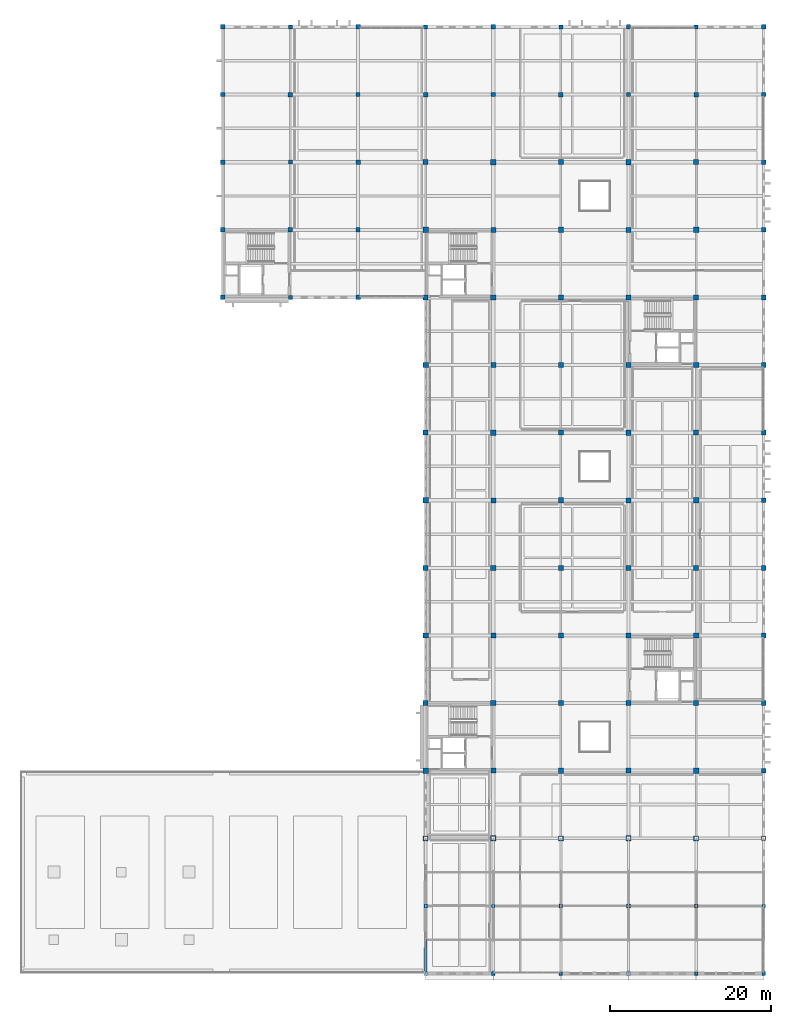
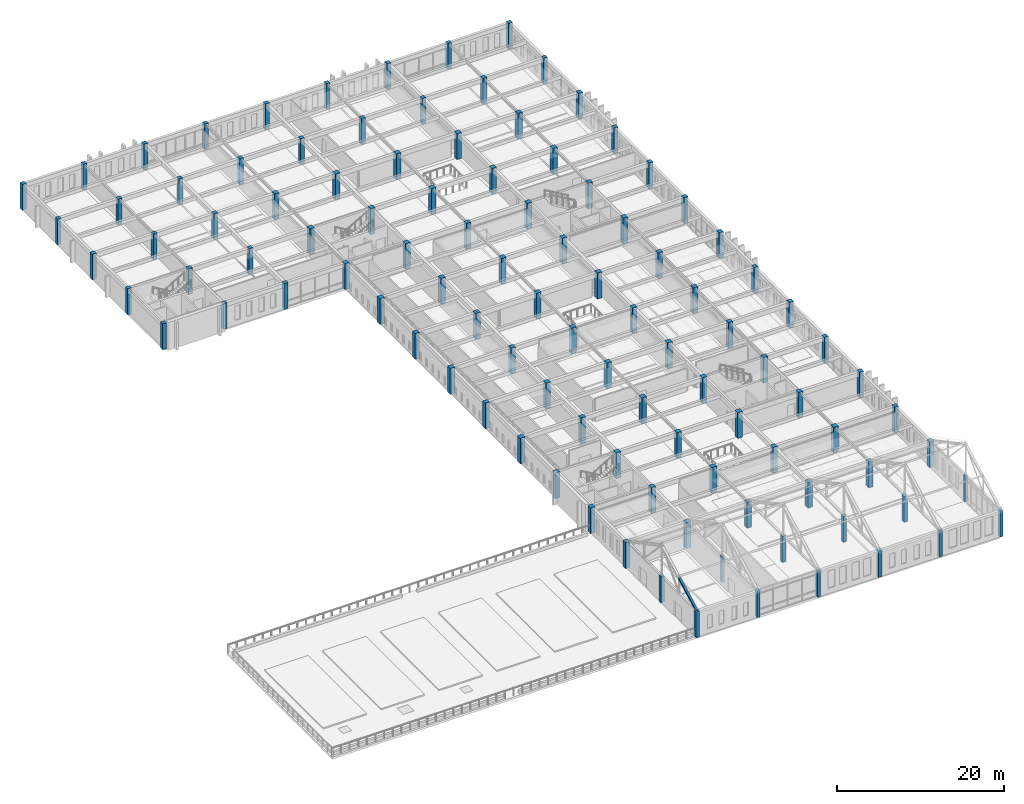
# One storey, part 1 of 47: 105 columns, 1 member.
"""IFC4 building model written with IfcOpenShell, lengths in metres."""

from ifc_helpers import new_model, si_unit, direction, frame, origin, origin_2d, place, context, subcontext, project, spatial, rectangle, i_section, extrude, material, material_profile, profile_set, type_object, element, save


model = new_model("IFC4")

# Units and contexts
model_context = context("Model", 3, precision=1e-05, world=origin(), true_north=direction((0.0, 1.0)))
body_context = subcontext(model_context, "Body", "Model", "MODEL_VIEW")
ifc_project = project(units=[si_unit("LENGTHUNIT", "METRE"), si_unit("AREAUNIT", "SQUARE_METRE"), si_unit("VOLUMEUNIT", "CUBIC_METRE"), si_unit("PLANEANGLEUNIT", "RADIAN"), si_unit("MASSUNIT", "GRAM", prefix="KILO")], contexts=[model_context])

# Site, building, storey
site_placement = place(None, origin())
site = spatial("IfcSite", under=ifc_project, at=site_placement, CompositionType="ELEMENT")
building_placement = place(site_placement, origin())
building = spatial("IfcBuilding", under=site, at=building_placement, Name="Kveldsbrygga Polytechnic", CompositionType="ELEMENT")
storey_placement = place(building_placement, frame((0.0, 0.0, 13.93994140625)))
storey = spatial("IfcBuildingStorey", under=building, at=storey_placement, Name="L03", CompositionType="ELEMENT", Elevation=13.93994140625)

# Columns
ifc_material_1 = material(Name="Concrete C45/55", Category="concrete")
ifc_material_profile_1 = material_profile(ifc_material_1, rectangle(XDim=0.39990234375, YDim=0.39990234375, at=origin_2d()), Name="RC 400x400")
ifc_profile_set_1 = profile_set([ifc_material_profile_1], Name="Concrete C45/55")
column_type_1 = type_object("IfcColumnType", Name="COL-RC-400", PredefinedType="COLUMN", material=ifc_profile_set_1)
for number, where, z_axis, x_axis, name in (
    (1, (134.39990234375, 8.39990234375, 0.0), (0.0, 0.0, 1.0), (1.0, 0.0, 0.0), "Column COL-L03-16-01"),
    (2, (168.0, 8.39990234375, 0.0), (0.0, 0.0, 1.0), (1.0, 0.0, 0.0), "Column COL-L03-20-01"),
):
    element("IfcColumn", number, at=place(storey_placement, frame(where, z_axis=z_axis, x_axis=x_axis)), inside=storey, type_object=column_type_1, Name=name, PredefinedType="COLUMN", context=body_context, shape_type="SweptSolid", body=[
        extrude(rectangle(XDim=0.39990234375, YDim=0.39990234375, at=origin_2d()), origin(), (0.0, 0.0, 1.0), 3.780029296875),
    ])
ifc_material_profile_2 = material_profile(ifc_material_1, rectangle(XDim=0.419921875, YDim=0.419921875, at=origin_2d()), Name="RC 420x420")
ifc_profile_set_2 = profile_set([ifc_material_profile_2], Name="Concrete C45/55")
column_type_2 = type_object("IfcColumnType", Name="COL-RC-420", PredefinedType="COLUMN", material=ifc_profile_set_2)
for number, where, z_axis, x_axis, name in (
    (3, (142.800048828125, 0.0, 0.0), (0.0, 0.0, 1.0), (1.0, 0.0, 0.0), "Column COL-L03-17-00"),
    (4, (159.60009765625, 0.0, 0.0), (0.0, 0.0, 1.0), (1.0, 0.0, 0.0), "Column COL-L03-19-00"),
):
    element("IfcColumn", number, at=place(storey_placement, frame(where, z_axis=z_axis, x_axis=x_axis)), inside=storey, type_object=column_type_2, Name=name, PredefinedType="COLUMN", context=body_context, shape_type="SweptSolid", body=[
        extrude(rectangle(XDim=0.419921875, YDim=0.419921875, at=origin_2d()), origin(), (0.0, 0.0, 1.0), 3.780029296875),
    ])
ifc_material_profile_3 = material_profile(ifc_material_1, rectangle(XDim=0.449951171875, YDim=0.449951171875, at=origin_2d()), Name="RC 450x450")
ifc_profile_set_3 = profile_set([ifc_material_profile_3], Name="Concrete C45/55")
column_type_3 = type_object("IfcColumnType", Name="COL-RC-450", PredefinedType="COLUMN", material=ifc_profile_set_3)
for number, where, z_axis, x_axis, name in (
    (5, (134.39990234375, 0.0, 0.0), (0.0, 0.0, 1.0), (1.0, 0.0, 0.0), "Column COL-L03-16-00"),
    (6, (142.800048828125, 8.39990234375, 0.0), (0.0, 0.0, 1.0), (1.0, 0.0, 0.0), "Column COL-L03-17-01"),
    (7, (159.60009765625, 8.39990234375, 0.0), (0.0, 0.0, 1.0), (1.0, 0.0, 0.0), "Column COL-L03-19-01"),
    (8, (168.0, 0.0, 0.0), (0.0, 0.0, 1.0), (1.0, 0.0, 0.0), "Column COL-L03-20-00"),
):
    element("IfcColumn", number, at=place(storey_placement, frame(where, z_axis=z_axis, x_axis=x_axis)), inside=storey, type_object=column_type_3, Name=name, PredefinedType="COLUMN", context=body_context, shape_type="SweptSolid", body=[
        extrude(rectangle(XDim=0.449951171875, YDim=0.449951171875, at=origin_2d()), origin(), (0.0, 0.0, 1.0), 3.780029296875),
    ])
ifc_material_profile_4 = material_profile(ifc_material_1, rectangle(XDim=0.47998046875, YDim=0.47998046875, at=origin_2d()), Name="RC 480x480")
ifc_profile_set_4 = profile_set([ifc_material_profile_4], Name="Concrete C45/55")
column_type_4 = type_object("IfcColumnType", Name="COL-RC-480", PredefinedType="COLUMN", material=ifc_profile_set_4)
for number, where, z_axis, x_axis, name in (
    (9, (126.0, 0.0, 0.0), (0.0, 0.0, 1.0), (1.0, 0.0, 0.0), "Column COL-L03-15-00"),
    (10, (126.0, 8.39990234375, 0.0), (0.0, 0.0, 1.0), (1.0, 0.0, 0.0), "Column COL-L03-15-01"),
    (11, (151.199951171875, 0.0, 0.0), (0.0, 0.0, 1.0), (1.0, 0.0, 0.0), "Column COL-L03-18-00"),
    (12, (151.199951171875, 8.39990234375, 0.0), (0.0, 0.0, 1.0), (1.0, 0.0, 0.0), "Column COL-L03-18-01"),
):
    element("IfcColumn", number, at=place(storey_placement, frame(where, z_axis=z_axis, x_axis=x_axis)), inside=storey, type_object=column_type_4, Name=name, PredefinedType="COLUMN", context=body_context, shape_type="SweptSolid", body=[
        extrude(rectangle(XDim=0.47998046875, YDim=0.47998046875, at=origin_2d()), origin(), (0.0, 0.0, 1.0), 3.780029296875),
    ])
ifc_material_profile_5 = material_profile(ifc_material_1, rectangle(XDim=0.5, YDim=0.5, at=origin_2d()), Name="RC 500x500")
ifc_profile_set_5 = profile_set([ifc_material_profile_5], Name="Concrete C45/55")
column_type_5 = type_object("IfcColumnType", Name="COL-RC-500", PredefinedType="COLUMN", material=ifc_profile_set_5)
for number, where, z_axis, x_axis, name in (
    (13, (109.199951171875, 84.0, 0.0), (0.0, 0.0, 1.0), (1.0, 0.0, 0.0), "Column COL-L03-13-10"),
    (14, (109.199951171875, 100.800048828125, 0.0), (0.0, 0.0, 1.0), (1.0, 0.0, 0.0), "Column COL-L03-13-12"),
    (15, (109.199951171875, 117.60009765625, 0.0), (0.0, 0.0, 1.0), (1.0, 0.0, 0.0), "Column COL-L03-13-14"),
    (16, (126.0, 117.60009765625, 0.0), (0.0, 0.0, 1.0), (1.0, 0.0, 0.0), "Column COL-L03-15-14"),
    (17, (142.800048828125, 117.60009765625, 0.0), (0.0, 0.0, 1.0), (1.0, 0.0, 0.0), "Column COL-L03-17-14"),
    (18, (159.60009765625, 117.60009765625, 0.0), (0.0, 0.0, 1.0), (1.0, 0.0, 0.0), "Column COL-L03-19-14"),
):
    element("IfcColumn", number, at=place(storey_placement, frame(where, z_axis=z_axis, x_axis=x_axis)), inside=storey, type_object=column_type_5, Name=name, PredefinedType="COLUMN", context=body_context, shape_type="SweptSolid", body=[
        extrude(rectangle(XDim=0.5, YDim=0.5, at=origin_2d()), origin(), (0.0, 0.0, 1.0), 3.780029296875),
    ])
ifc_material_profile_6 = material_profile(ifc_material_1, rectangle(XDim=0.52001953125, YDim=0.52001953125, at=origin_2d()), Name="RC 520x520")
ifc_profile_set_6 = profile_set([ifc_material_profile_6], Name="Concrete C45/55")
column_type_6 = type_object("IfcColumnType", Name="COL-RC-520", PredefinedType="COLUMN", material=ifc_profile_set_6)
for number, where, z_axis, x_axis, name in (
    (19, (100.800048828125, 92.39990234375, 0.0), (0.0, 0.0, 1.0), (1.0, 0.0, 0.0), "Column COL-L03-12-11"),
    (20, (100.800048828125, 109.199951171875, 0.0), (0.0, 0.0, 1.0), (1.0, 0.0, 0.0), "Column COL-L03-12-13"),
    (21, (117.60009765625, 92.39990234375, 0.0), (0.0, 0.0, 1.0), (1.0, 0.0, 0.0), "Column COL-L03-14-11"),
    (22, (117.60009765625, 109.199951171875, 0.0), (0.0, 0.0, 1.0), (1.0, 0.0, 0.0), "Column COL-L03-14-13"),
    (23, (134.39990234375, 109.199951171875, 0.0), (0.0, 0.0, 1.0), (1.0, 0.0, 0.0), "Column COL-L03-16-13"),
    (24, (151.199951171875, 109.199951171875, 0.0), (0.0, 0.0, 1.0), (1.0, 0.0, 0.0), "Column COL-L03-18-13"),
    (25, (168.0, 109.199951171875, 0.0), (0.0, 0.0, 1.0), (1.0, 0.0, 0.0), "Column COL-L03-20-13"),
):
    element("IfcColumn", number, at=place(storey_placement, frame(where, z_axis=z_axis, x_axis=x_axis)), inside=storey, type_object=column_type_6, Name=name, PredefinedType="COLUMN", context=body_context, shape_type="SweptSolid", body=[
        extrude(rectangle(XDim=0.52001953125, YDim=0.52001953125, at=origin_2d()), origin(), (0.0, 0.0, 1.0), 3.780029296875),
    ])
ifc_material_profile_7 = material_profile(ifc_material_1, rectangle(XDim=0.550048828125, YDim=0.550048828125, at=origin_2d()), Name="RC 550x550")
ifc_profile_set_7 = profile_set([ifc_material_profile_7], Name="Concrete C45/55")
column_type_7 = type_object("IfcColumnType", Name="COL-RC-550", PredefinedType="COLUMN", material=ifc_profile_set_7)
for number, where, z_axis, x_axis, name in (
    (26, (100.800048828125, 84.0, 0.0), (0.0, 0.0, 1.0), (1.0, 0.0, 0.0), "Column COL-L03-12-10"),
    (27, (100.800048828125, 100.800048828125, 0.0), (0.0, 0.0, 1.0), (1.0, 0.0, 0.0), "Column COL-L03-12-12"),
    (28, (100.800048828125, 117.60009765625, 0.0), (0.0, 0.0, 1.0), (1.0, 0.0, 0.0), "Column COL-L03-12-14"),
    (29, (109.199951171875, 92.39990234375, 0.0), (0.0, 0.0, 1.0), (1.0, 0.0, 0.0), "Column COL-L03-13-11"),
    (30, (109.199951171875, 109.199951171875, 0.0), (0.0, 0.0, 1.0), (1.0, 0.0, 0.0), "Column COL-L03-13-13"),
    (31, (117.60009765625, 84.0, 0.0), (0.0, 0.0, 1.0), (1.0, 0.0, 0.0), "Column COL-L03-14-10"),
    (32, (117.60009765625, 100.800048828125, 0.0), (0.0, 0.0, 1.0), (1.0, 0.0, 0.0), "Column COL-L03-14-12"),
    (33, (117.60009765625, 117.60009765625, 0.0), (0.0, 0.0, 1.0), (1.0, 0.0, 0.0), "Column COL-L03-14-14"),
    (34, (126.0, 109.199951171875, 0.0), (0.0, 0.0, 1.0), (1.0, 0.0, 0.0), "Column COL-L03-15-13"),
    (35, (134.39990234375, 117.60009765625, 0.0), (0.0, 0.0, 1.0), (1.0, 0.0, 0.0), "Column COL-L03-16-14"),
    (36, (142.800048828125, 109.199951171875, 0.0), (0.0, 0.0, 1.0), (1.0, 0.0, 0.0), "Column COL-L03-17-13"),
    (37, (151.199951171875, 117.60009765625, 0.0), (0.0, 0.0, 1.0), (1.0, 0.0, 0.0), "Column COL-L03-18-14"),
    (38, (159.60009765625, 109.199951171875, 0.0), (0.0, 0.0, 1.0), (1.0, 0.0, 0.0), "Column COL-L03-19-13"),
    (39, (168.0, 117.60009765625, 0.0), (0.0, 0.0, 1.0), (1.0, 0.0, 0.0), "Column COL-L03-20-14"),
):
    element("IfcColumn", number, at=place(storey_placement, frame(where, z_axis=z_axis, x_axis=x_axis)), inside=storey, type_object=column_type_7, Name=name, PredefinedType="COLUMN", context=body_context, shape_type="SweptSolid", body=[
        extrude(rectangle(XDim=0.550048828125, YDim=0.550048828125, at=origin_2d()), origin(), (0.0, 0.0, 1.0), 3.780029296875),
    ])
ifc_material_profile_8 = material_profile(ifc_material_1, rectangle(XDim=0.580078125, YDim=0.580078125, at=origin_2d()), Name="RC 580x580")
ifc_profile_set_8 = profile_set([ifc_material_profile_8], Name="Concrete C45/55")
column_type_8 = type_object("IfcColumnType", Name="COL-RC-580", PredefinedType="COLUMN", material=ifc_profile_set_8)
for number, where, z_axis, x_axis, name in (
    (40, (168.0, 25.199951171875, 0.0), (0.0, 0.0, 1.0), (1.0, 0.0, 0.0), "Column COL-L03-20-03"),
    (41, (168.0, 42.0, 0.0), (0.0, 0.0, 1.0), (1.0, 0.0, 0.0), "Column COL-L03-20-05"),
    (42, (168.0, 58.800048828125, 0.0), (0.0, 0.0, 1.0), (1.0, 0.0, 0.0), "Column COL-L03-20-07"),
    (43, (168.0, 75.60009765625, 0.0), (0.0, 0.0, 1.0), (1.0, 0.0, 0.0), "Column COL-L03-20-09"),
    (44, (168.0, 92.39990234375, 0.0), (0.0, 0.0, 1.0), (1.0, 0.0, 0.0), "Column COL-L03-20-11"),
):
    element("IfcColumn", number, at=place(storey_placement, frame(where, z_axis=z_axis, x_axis=x_axis)), inside=storey, type_object=column_type_8, Name=name, PredefinedType="COLUMN", context=body_context, shape_type="SweptSolid", body=[
        extrude(rectangle(XDim=0.580078125, YDim=0.580078125, at=origin_2d()), origin(), (0.0, 0.0, 1.0), 3.780029296875),
    ])
ifc_material_profile_9 = material_profile(ifc_material_1, rectangle(XDim=0.60009765625, YDim=0.60009765625, at=origin_2d()), Name="RC 600x600")
ifc_profile_set_9 = profile_set([ifc_material_profile_9], Name="Concrete C45/55")
column_type_9 = type_object("IfcColumnType", Name="COL-RC-600", PredefinedType="COLUMN", material=ifc_profile_set_9)
for number, where, z_axis, x_axis, name in (
    (45, (168.0, 16.800048828125, 0.0), (0.0, 0.0, 1.0), (1.0, 0.0, 0.0), "Column COL-L03-20-02"),
    (46, (168.0, 33.60009765625, 0.0), (0.0, 0.0, 1.0), (1.0, 0.0, 0.0), "Column COL-L03-20-04"),
    (47, (168.0, 50.39990234375, 0.0), (0.0, 0.0, 1.0), (1.0, 0.0, 0.0), "Column COL-L03-20-06"),
    (48, (168.0, 67.199951171875, 0.0), (0.0, 0.0, 1.0), (1.0, 0.0, 0.0), "Column COL-L03-20-08"),
    (49, (168.0, 84.0, 0.0), (0.0, 0.0, 1.0), (1.0, 0.0, 0.0), "Column COL-L03-20-10"),
    (50, (168.0, 100.800048828125, 0.0), (0.0, 0.0, 1.0), (1.0, 0.0, 0.0), "Column COL-L03-20-12"),
):
    element("IfcColumn", number, at=place(storey_placement, frame(where, z_axis=z_axis, x_axis=x_axis)), inside=storey, type_object=column_type_9, Name=name, PredefinedType="COLUMN", context=body_context, shape_type="SweptSolid", body=[
        extrude(rectangle(XDim=0.60009765625, YDim=0.60009765625, at=origin_2d()), origin(), (0.0, 0.0, 1.0), 3.780029296875),
    ])
ifc_material_profile_10 = material_profile(ifc_material_1, rectangle(XDim=0.6201171875, YDim=0.6201171875, at=origin_2d()), Name="RC 620x620")
ifc_profile_set_10 = profile_set([ifc_material_profile_10], Name="Concrete C45/55")
column_type_10 = type_object("IfcColumnType", Name="COL-RC-620", PredefinedType="COLUMN", material=ifc_profile_set_10)
for number, where, z_axis, x_axis, name in (
    (51, (126.0, 16.800048828125, 0.0), (0.0, 0.0, 1.0), (1.0, 0.0, 0.0), "Column COL-L03-15-02"),
    (52, (126.0, 33.60009765625, 0.0), (0.0, 0.0, 1.0), (1.0, 0.0, 0.0), "Column COL-L03-15-04"),
    (53, (126.0, 50.39990234375, 0.0), (0.0, 0.0, 1.0), (1.0, 0.0, 0.0), "Column COL-L03-15-06"),
    (54, (126.0, 67.199951171875, 0.0), (0.0, 0.0, 1.0), (1.0, 0.0, 0.0), "Column COL-L03-15-08"),
    (55, (126.0, 84.0, 0.0), (0.0, 0.0, 1.0), (1.0, 0.0, 0.0), "Column COL-L03-15-10"),
    (56, (126.0, 100.800048828125, 0.0), (0.0, 0.0, 1.0), (1.0, 0.0, 0.0), "Column COL-L03-15-12"),
    (57, (134.39990234375, 25.199951171875, 0.0), (0.0, 0.0, 1.0), (1.0, 0.0, 0.0), "Column COL-L03-16-03"),
    (58, (134.39990234375, 42.0, 0.0), (0.0, 0.0, 1.0), (1.0, 0.0, 0.0), "Column COL-L03-16-05"),
    (59, (134.39990234375, 58.800048828125, 0.0), (0.0, 0.0, 1.0), (1.0, 0.0, 0.0), "Column COL-L03-16-07"),
    (60, (134.39990234375, 75.60009765625, 0.0), (0.0, 0.0, 1.0), (1.0, 0.0, 0.0), "Column COL-L03-16-09"),
    (61, (134.39990234375, 92.39990234375, 0.0), (0.0, 0.0, 1.0), (1.0, 0.0, 0.0), "Column COL-L03-16-11"),
    (62, (142.800048828125, 16.800048828125, 0.0), (0.0, 0.0, 1.0), (1.0, 0.0, 0.0), "Column COL-L03-17-02"),
    (63, (142.800048828125, 33.60009765625, 0.0), (0.0, 0.0, 1.0), (1.0, 0.0, 0.0), "Column COL-L03-17-04"),
    (64, (142.800048828125, 50.39990234375, 0.0), (0.0, 0.0, 1.0), (1.0, 0.0, 0.0), "Column COL-L03-17-06"),
    (65, (142.800048828125, 67.199951171875, 0.0), (0.0, 0.0, 1.0), (1.0, 0.0, 0.0), "Column COL-L03-17-08"),
    (66, (142.800048828125, 84.0, 0.0), (0.0, 0.0, 1.0), (1.0, 0.0, 0.0), "Column COL-L03-17-10"),
    (67, (142.800048828125, 100.800048828125, 0.0), (0.0, 0.0, 1.0), (1.0, 0.0, 0.0), "Column COL-L03-17-12"),
    (68, (151.199951171875, 25.199951171875, 0.0), (0.0, 0.0, 1.0), (1.0, 0.0, 0.0), "Column COL-L03-18-03"),
    (69, (151.199951171875, 42.0, 0.0), (0.0, 0.0, 1.0), (1.0, 0.0, 0.0), "Column COL-L03-18-05"),
    (70, (151.199951171875, 58.800048828125, 0.0), (0.0, 0.0, 1.0), (1.0, 0.0, 0.0), "Column COL-L03-18-07"),
    (71, (151.199951171875, 75.60009765625, 0.0), (0.0, 0.0, 1.0), (1.0, 0.0, 0.0), "Column COL-L03-18-09"),
    (72, (151.199951171875, 92.39990234375, 0.0), (0.0, 0.0, 1.0), (1.0, 0.0, 0.0), "Column COL-L03-18-11"),
    (73, (159.60009765625, 16.800048828125, 0.0), (0.0, 0.0, 1.0), (1.0, 0.0, 0.0), "Column COL-L03-19-02"),
    (74, (159.60009765625, 33.60009765625, 0.0), (0.0, 0.0, 1.0), (1.0, 0.0, 0.0), "Column COL-L03-19-04"),
    (75, (159.60009765625, 50.39990234375, 0.0), (0.0, 0.0, 1.0), (1.0, 0.0, 0.0), "Column COL-L03-19-06"),
    (76, (159.60009765625, 67.199951171875, 0.0), (0.0, 0.0, 1.0), (1.0, 0.0, 0.0), "Column COL-L03-19-08"),
    (77, (159.60009765625, 84.0, 0.0), (0.0, 0.0, 1.0), (1.0, 0.0, 0.0), "Column COL-L03-19-10"),
    (78, (159.60009765625, 100.800048828125, 0.0), (0.0, 0.0, 1.0), (1.0, 0.0, 0.0), "Column COL-L03-19-12"),
):
    element("IfcColumn", number, at=place(storey_placement, frame(where, z_axis=z_axis, x_axis=x_axis)), inside=storey, type_object=column_type_10, Name=name, PredefinedType="COLUMN", context=body_context, shape_type="SweptSolid", body=[
        extrude(rectangle(XDim=0.6201171875, YDim=0.6201171875, at=origin_2d()), origin(), (0.0, 0.0, 1.0), 3.780029296875),
    ])
ifc_material_profile_11 = material_profile(ifc_material_1, rectangle(XDim=0.64990234375, YDim=0.64990234375, at=origin_2d()), Name="RC 650x650")
ifc_profile_set_11 = profile_set([ifc_material_profile_11], Name="Concrete C45/55")
column_type_11 = type_object("IfcColumnType", Name="COL-RC-650", PredefinedType="COLUMN", material=ifc_profile_set_11)
for number, where, z_axis, x_axis, name in (
    (79, (126.0, 25.199951171875, 0.0), (0.0, 0.0, 1.0), (1.0, 0.0, 0.0), "Column COL-L03-15-03"),
    (80, (126.0, 42.0, 0.0), (0.0, 0.0, 1.0), (1.0, 0.0, 0.0), "Column COL-L03-15-05"),
    (81, (126.0, 58.800048828125, 0.0), (0.0, 0.0, 1.0), (1.0, 0.0, 0.0), "Column COL-L03-15-07"),
    (82, (126.0, 75.60009765625, 0.0), (0.0, 0.0, 1.0), (1.0, 0.0, 0.0), "Column COL-L03-15-09"),
    (83, (126.0, 92.39990234375, 0.0), (0.0, 0.0, 1.0), (1.0, 0.0, 0.0), "Column COL-L03-15-11"),
    (84, (134.39990234375, 16.800048828125, 0.0), (0.0, 0.0, 1.0), (1.0, 0.0, 0.0), "Column COL-L03-16-02"),
    (85, (134.39990234375, 33.60009765625, 0.0), (0.0, 0.0, 1.0), (1.0, 0.0, 0.0), "Column COL-L03-16-04"),
    (86, (134.39990234375, 50.39990234375, 0.0), (0.0, 0.0, 1.0), (1.0, 0.0, 0.0), "Column COL-L03-16-06"),
    (87, (134.39990234375, 67.199951171875, 0.0), (0.0, 0.0, 1.0), (1.0, 0.0, 0.0), "Column COL-L03-16-08"),
    (88, (134.39990234375, 84.0, 0.0), (0.0, 0.0, 1.0), (1.0, 0.0, 0.0), "Column COL-L03-16-10"),
    (89, (134.39990234375, 100.800048828125, 0.0), (0.0, 0.0, 1.0), (1.0, 0.0, 0.0), "Column COL-L03-16-12"),
    (90, (142.800048828125, 25.199951171875, 0.0), (0.0, 0.0, 1.0), (1.0, 0.0, 0.0), "Column COL-L03-17-03"),
    (91, (142.800048828125, 42.0, 0.0), (0.0, 0.0, 1.0), (1.0, 0.0, 0.0), "Column COL-L03-17-05"),
    (92, (142.800048828125, 58.800048828125, 0.0), (0.0, 0.0, 1.0), (1.0, 0.0, 0.0), "Column COL-L03-17-07"),
    (93, (142.800048828125, 75.60009765625, 0.0), (0.0, 0.0, 1.0), (1.0, 0.0, 0.0), "Column COL-L03-17-09"),
    (94, (142.800048828125, 92.39990234375, 0.0), (0.0, 0.0, 1.0), (1.0, 0.0, 0.0), "Column COL-L03-17-11"),
    (95, (151.199951171875, 16.800048828125, 0.0), (0.0, 0.0, 1.0), (1.0, 0.0, 0.0), "Column COL-L03-18-02"),
    (96, (151.199951171875, 33.60009765625, 0.0), (0.0, 0.0, 1.0), (1.0, 0.0, 0.0), "Column COL-L03-18-04"),
    (97, (151.199951171875, 50.39990234375, 0.0), (0.0, 0.0, 1.0), (1.0, 0.0, 0.0), "Column COL-L03-18-06"),
    (98, (151.199951171875, 67.199951171875, 0.0), (0.0, 0.0, 1.0), (1.0, 0.0, 0.0), "Column COL-L03-18-08"),
    (99, (151.199951171875, 84.0, 0.0), (0.0, 0.0, 1.0), (1.0, 0.0, 0.0), "Column COL-L03-18-10"),
    (100, (151.199951171875, 100.800048828125, 0.0), (0.0, 0.0, 1.0), (1.0, 0.0, 0.0), "Column COL-L03-18-12"),
    (101, (159.60009765625, 25.199951171875, 0.0), (0.0, 0.0, 1.0), (1.0, 0.0, 0.0), "Column COL-L03-19-03"),
    (102, (159.60009765625, 42.0, 0.0), (0.0, 0.0, 1.0), (1.0, 0.0, 0.0), "Column COL-L03-19-05"),
    (103, (159.60009765625, 58.800048828125, 0.0), (0.0, 0.0, 1.0), (1.0, 0.0, 0.0), "Column COL-L03-19-07"),
    (104, (159.60009765625, 75.60009765625, 0.0), (0.0, 0.0, 1.0), (1.0, 0.0, 0.0), "Column COL-L03-19-09"),
    (105, (159.60009765625, 92.39990234375, 0.0), (0.0, 0.0, 1.0), (1.0, 0.0, 0.0), "Column COL-L03-19-11"),
):
    element("IfcColumn", number, at=place(storey_placement, frame(where, z_axis=z_axis, x_axis=x_axis)), inside=storey, type_object=column_type_11, Name=name, PredefinedType="COLUMN", context=body_context, shape_type="SweptSolid", body=[
        extrude(rectangle(XDim=0.64990234375, YDim=0.64990234375, at=origin_2d()), origin(), (0.0, 0.0, 1.0), 3.780029296875),
    ])

# Member
ifc_material_2 = material(Name="Steel S355", Category="steel")
ifc_material_profile_12 = material_profile(ifc_material_2, i_section(OverallWidth=0.280029296875, OverallDepth=0.280029296875, WebThickness=0.010498046875, FlangeThickness=0.01806640625, FilletRadius=0.02392578125, at=origin_2d()), Name="HEB 280")
ifc_profile_set_12 = profile_set([ifc_material_profile_12], Name="Steel S355")
member_type = type_object("IfcMemberType", Name="TR-TOP-HEB280", PredefinedType="CHORD", material=ifc_profile_set_12)
member_placement = place(storey_placement, frame((126.0, 0.0, 3.780029296875), z_axis=(0.0, 0.883649189339, 0.468149666432), x_axis=(-1.0, 0.0, 0.0)))
element("IfcMember", 106, at=member_placement, inside=storey, type_object=member_type, Name="Truss Top Chord V4S4-T01-TC-1", PredefinedType="CHORD", context=body_context, shape_type="SweptSolid", body=[
    extrude(i_section(OverallWidth=0.280029296875, OverallDepth=0.280029296875, WebThickness=0.010498046875, FlangeThickness=0.01806640625, FilletRadius=0.02392578125, at=origin_2d()), origin(), (0.0, 0.0, 1.0), 4.7529296875),
])

save(model, "model.ifc")
